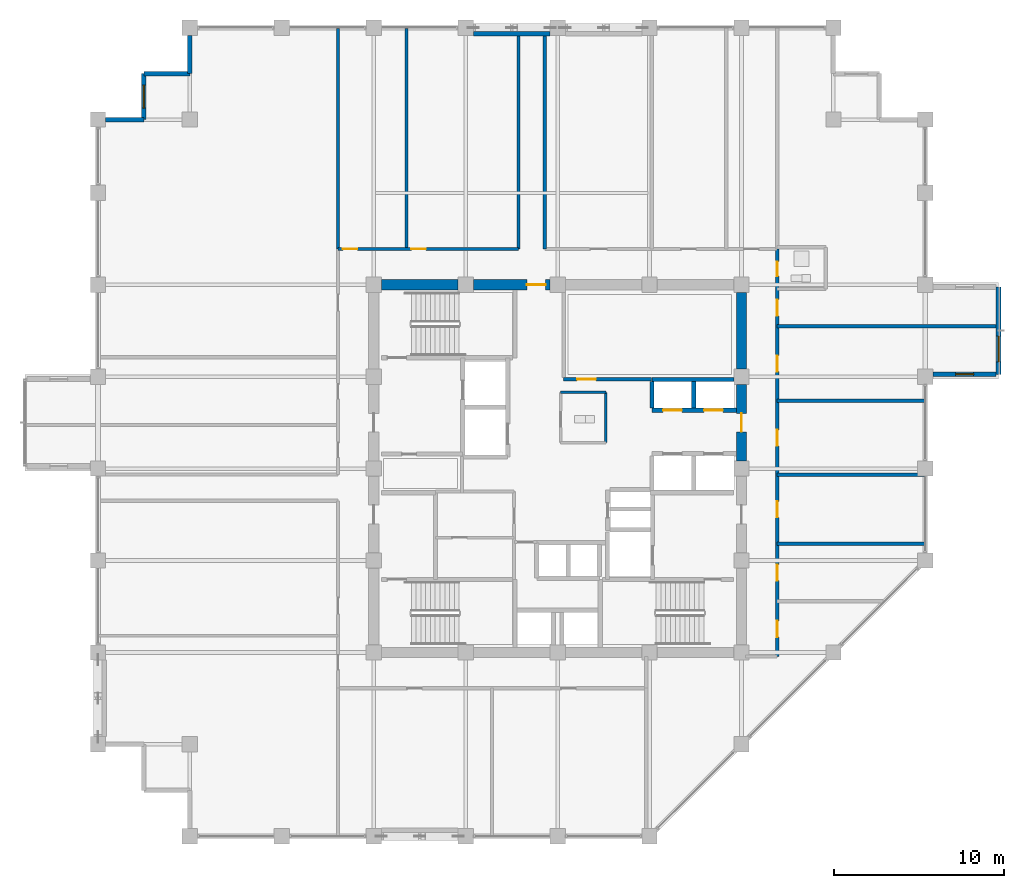
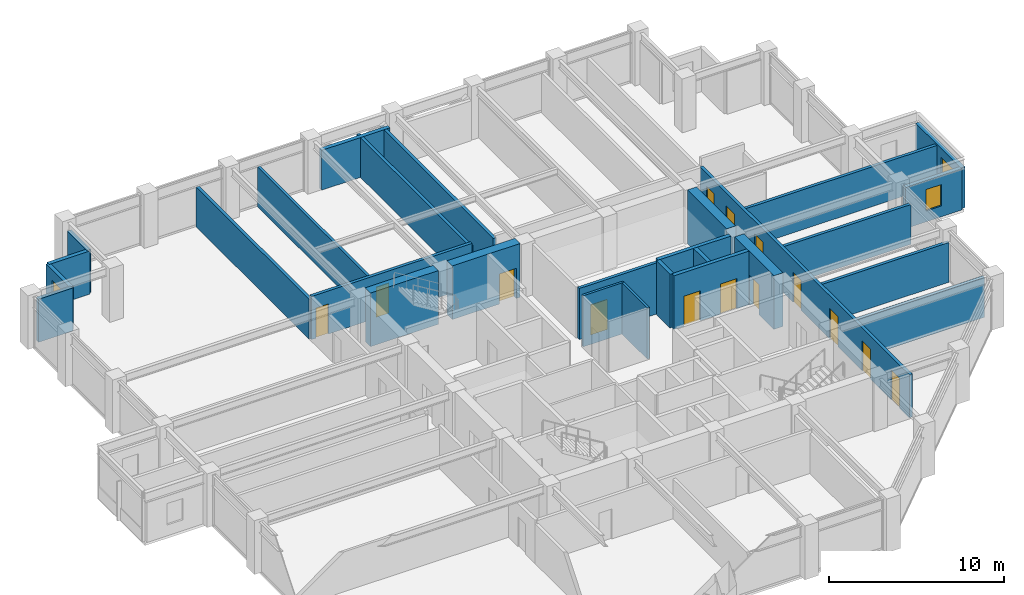
# One storey, part 24 of 28: 28 walls, 14 doors, 3 windows, 17 openings.
"""IFC4 building model written with IfcOpenShell, lengths in metres."""

from ifc_helpers import new_model, si_unit, direction, frame, frame_2d, origin, place, context, subcontext, project, spatial, rectangle, extrude, material, layer, layer_set, type_object, element, fill, save


model = new_model("IFC4")

# Units and contexts
model_context = context("Model", 3, precision=1e-05, world=origin(), true_north=direction((0.0, 1.0)))
body_context = subcontext(model_context, "Body", "Model", "MODEL_VIEW")
ifc_project = project(units=[si_unit("LENGTHUNIT", "METRE"), si_unit("AREAUNIT", "SQUARE_METRE"), si_unit("VOLUMEUNIT", "CUBIC_METRE"), si_unit("PLANEANGLEUNIT", "RADIAN"), si_unit("MASSUNIT", "GRAM", prefix="KILO")], contexts=[model_context])

# Site, building, storey
site_placement = place(None, origin())
site = spatial("IfcSite", under=ifc_project, at=site_placement, CompositionType="ELEMENT")
building_placement = place(site_placement, origin())
building = spatial("IfcBuilding", under=site, at=building_placement, Name="Surkhivell Harbour Commons", CompositionType="ELEMENT")
storey_placement = place(building_placement, frame((0.0, 0.0, 174.75)))
storey = spatial("IfcBuildingStorey", under=building, at=storey_placement, Name="L45", CompositionType="ELEMENT", Elevation=174.75)

# Wall
ifc_material_1 = material(Name="Concrete C60/75", Category="concrete")
ifc_layer_1 = layer(ifc_material_1, 0.60009765625)
ifc_layer_set_1 = layer_set([ifc_layer_1], Name="Concrete C60/75")
wall_type_1 = type_object("IfcWallType", Name="WAL-CORE-600", PredefinedType="SHEAR", material=ifc_layer_set_1)
wall_1_placement = place(storey_placement, frame((-10.340087890625, 10.800048828125, 0.0), z_axis=(0.0, 0.0, 1.0), x_axis=(1.0, 0.0, 0.0)))
element("IfcWall", 1, at=wall_1_placement, inside=storey, type_object=wall_type_1, Name="L45 Core Shear Wall North 1", PredefinedType="SHEAR", context=body_context, shape_type="SweptSolid", body=[
    extrude(rectangle(XDim=4.47998046875, YDim=0.60009765625, at=frame_2d((2.239990234375, 0.0))), origin(), (0.0, 0.0, 1.0), 3.75),
])

# Wall, opening, door
wall_2_placement = place(storey_placement, frame((-4.93994140625, 10.800048828125, 0.0), z_axis=(0.0, 0.0, 1.0), x_axis=(1.0, 0.0, 0.0)))
wall_2 = element("IfcWall", 2, at=wall_2_placement, inside=storey, type_object=wall_type_1, Name="L45 Core Shear Wall North 2", PredefinedType="SHEAR", context=body_context, shape_type="SweptSolid", body=[
    extrude(rectangle(XDim=4.47998046875, YDim=0.60009765625, at=frame_2d((2.239990234375, 0.0))), origin(), (0.0, 0.0, 1.0), 3.75),
])
opening_1_placement = place(wall_2_placement, frame((3.1298828125, 0.0, 0.0)))
opening_1 = element("IfcOpeningElement", 3, at=opening_1_placement, cuts=wall_2, Name="Opening ID-2", PredefinedType="OPENING", context=body_context, shape_type="SweptSolid", body=[
    extrude(rectangle(XDim=1.10009765625, YDim=2.10009765625, at=frame_2d((0.550048828125, 1.050048828125))), frame((0.0, 0.31005859375, 0.0), z_axis=(0.0, -1.0, 0.0), x_axis=(1.0, 0.0, 0.0)), (0.0, 0.0, 1.0), 0.6201171875),
])
ifc_material_2 = material(Name="Hardwood-veneered fire-rated door leaf", Category="wood")
door_type_1 = type_object("IfcDoorType", Name="DOR-FD60-1100", OperationType="NOTDEFINED", PredefinedType="DOOR", material=ifc_material_2)
door_1_placement = place(opening_1_placement, origin())
door_1 = element("IfcDoor", 4, at=door_1_placement, inside=storey, type_object=door_type_1, Name="L45 Central Core Lift Hall North Corridor Door", OperationType="SINGLE_SWING_LEFT", OverallHeight=2.10009765625, OverallWidth=1.10009765625, PredefinedType="DOOR", context=body_context, shape_type="SweptSolid", body=[
    extrude(rectangle(XDim=1.10009765625, YDim=2.10009765625, at=frame_2d((0.550048828125, 1.050048828125))), frame((0.0, 0.02490234375, 0.0), z_axis=(0.0, -1.0, 0.0), x_axis=(1.0, 0.0, 0.0)), (0.0, 0.0, 1.0), 0.050048828125),
])
fill(opening_1, door_1)

wall_3_placement = place(storey_placement, frame((10.800048828125, 0.4599609375, 0.0), z_axis=(0.0, 0.0, 1.0), x_axis=(0.0, 1.0, 0.0)))
wall_3 = element("IfcWall", 5, at=wall_3_placement, inside=storey, type_object=wall_type_1, Name="L45 Core Shear Wall East 3", PredefinedType="SHEAR", context=body_context, shape_type="SweptSolid", body=[
    extrude(rectangle(XDim=4.47998046875, YDim=0.60009765625, at=frame_2d((2.239990234375, 0.0))), origin(), (0.0, 0.0, 1.0), 3.75),
])
opening_2_placement = place(wall_3_placement, frame((1.68994140625, 0.0, 0.0)))
opening_2 = element("IfcOpeningElement", 6, at=opening_2_placement, cuts=wall_3, Name="Opening ID-2", PredefinedType="OPENING", context=body_context, shape_type="SweptSolid", body=[
    extrude(rectangle(XDim=1.10009765625, YDim=2.10009765625, at=frame_2d((0.550048828125, 1.050048828125))), frame((0.0, 0.31005859375, 0.0), z_axis=(0.0, -1.0, 0.0), x_axis=(1.0, 0.0, 0.0)), (0.0, 0.0, 1.0), 0.6201171875),
])
door_2_placement = place(opening_2_placement, origin())
door_2 = element("IfcDoor", 7, at=door_2_placement, inside=storey, type_object=door_type_1, Name="L45 Mid-Rise Lobby East Door", OperationType="SINGLE_SWING_LEFT", OverallHeight=2.10009765625, OverallWidth=1.10009765625, PredefinedType="DOOR", context=body_context, shape_type="SweptSolid", body=[
    extrude(rectangle(XDim=1.10009765625, YDim=2.10009765625, at=frame_2d((0.550048828125, 1.050048828125))), frame((0.0, 0.02490234375, 0.0), z_axis=(0.0, -1.0, 0.0), x_axis=(1.0, 0.0, 0.0)), (0.0, 0.0, 1.0), 0.050048828125),
])
fill(opening_2, door_2)

# Walls
wall_4_placement = place(storey_placement, frame((10.800048828125, 5.860107421875, 0.0), z_axis=(0.0, 0.0, 1.0), x_axis=(0.0, 1.0, 0.0)))
element("IfcWall", 8, at=wall_4_placement, inside=storey, type_object=wall_type_1, Name="L45 Core Shear Wall East 4", PredefinedType="SHEAR", context=body_context, shape_type="SweptSolid", body=[
    extrude(rectangle(XDim=4.47998046875, YDim=0.60009765625, at=frame_2d((2.239990234375, 0.0))), origin(), (0.0, 0.0, 1.0), 3.75),
])
ifc_material_3 = material(Name="Pale-metal insulated precast concrete C45/55", Category="concrete")
ifc_layer_2 = layer(ifc_material_3, 0.260009765625)
ifc_layer_set_2 = layer_set([ifc_layer_2], Name="Pale-metal insulated precast concrete C45/55")
wall_type_2 = type_object("IfcWallType", Name="WAL-EXT-MTL260", PredefinedType="STANDARD", material=ifc_layer_set_2)
wall_5_placement = place(storey_placement, frame((-0.447998046875, 25.5400390625, 0.0), z_axis=(0.0, 0.0, 1.0), x_axis=(-1.0, 0.0, 0.0)))
element("IfcWall", 9, at=wall_5_placement, inside=storey, type_object=wall_type_2, Name="L45 Braced-Bay Insulated Spandrel Backing N", PredefinedType="STANDARD", context=body_context, shape_type="SweptSolid", body=[
    extrude(rectangle(XDim=4.50390625, YDim=0.260009765625, at=frame_2d((2.251953125, 0.0))), origin(), (0.0, 0.0, 1.0), 2.780029296875),
])
wall_6_placement = place(storey_placement, frame((-21.60009765625, 25.451904296875, 0.0), z_axis=(0.0, 0.0, 1.0), x_axis=(0.0, -1.0, 0.0)))
element("IfcWall", 10, at=wall_6_placement, inside=storey, type_object=wall_type_2, Name="L45 Serrated Corner Facade Wall 08", PredefinedType="STANDARD", context=body_context, shape_type="SweptSolid", body=[
    extrude(rectangle(XDim=2.251953125, YDim=0.260009765625, at=frame_2d((1.1259765625, 0.0))), origin(), (0.0, 0.0, 1.0), 3.006103515625),
])
wall_7_placement = place(storey_placement, frame((-21.60009765625, 23.199951171875, 0.0), z_axis=(0.0, 0.0, 1.0), x_axis=(-1.0, 0.0, 0.0)))
element("IfcWall", 11, at=wall_7_placement, inside=storey, type_object=wall_type_2, Name="L45 Serrated Corner Facade Wall 09", PredefinedType="STANDARD", context=body_context, shape_type="SweptSolid", body=[
    extrude(rectangle(XDim=2.699951171875, YDim=0.260009765625, at=frame_2d((1.35009765625, 0.0))), origin(), (0.0, 0.0, 1.0), 3.006103515625),
])

# Wall, opening, window
wall_8_placement = place(storey_placement, frame((-24.300048828125, 23.199951171875, 0.0), z_axis=(0.0, 0.0, 1.0), x_axis=(0.0, -1.0, 0.0)))
wall_8 = element("IfcWall", 12, at=wall_8_placement, inside=storey, type_object=wall_type_2, Name="L45 Serrated Corner Facade Wall 10", PredefinedType="STANDARD", context=body_context, shape_type="SweptSolid", body=[
    extrude(rectangle(XDim=2.699951171875, YDim=0.260009765625, at=frame_2d((1.35009765625, 0.0))), origin(), (0.0, 0.0, 1.0), 3.006103515625),
])
opening_3_placement = place(wall_8_placement, frame((0.675048828125, 0.0, 0.64990234375)))
opening_3 = element("IfcOpeningElement", 13, at=opening_3_placement, cuts=wall_8, Name="Opening WN-08", PredefinedType="OPENING", context=body_context, shape_type="SweptSolid", body=[
    extrude(rectangle(XDim=1.35009765625, YDim=1.64990234375, at=frame_2d((0.675048828125, 0.824951171875))), frame((0.0, 0.139892578125, 0.0), z_axis=(0.0, -1.0, 0.0), x_axis=(1.0, 0.0, 0.0)), (0.0, 0.0, 1.0), 0.280029296875),
])
ifc_material_4 = material(Name="Thermal-break aluminium frame and double low-E glazing", Category="aluminium")
window_type_1 = type_object("IfcWindowType", Name="WIN-SER-1350x1650", PartitioningType="SINGLE_PANEL", PredefinedType="WINDOW", material=ifc_material_4)
window_1_placement = place(opening_3_placement, origin())
window_1 = element("IfcWindow", 14, at=window_1_placement, inside=storey, type_object=window_type_1, Name="L45 Serrated Alcove Window 10", OverallHeight=1.64990234375, OverallWidth=1.35009765625, PartitioningType="SINGLE_PANEL", PredefinedType="WINDOW", context=body_context, shape_type="SweptSolid", body=[
    extrude(rectangle(XDim=1.35009765625, YDim=1.64990234375, at=frame_2d((0.675048828125, 0.824951171875))), frame((0.0, 0.030029296875, 0.0), z_axis=(0.0, -1.0, 0.0), x_axis=(1.0, 0.0, 0.0)), (0.0, 0.0, 1.0), 0.06005859375),
])
fill(opening_3, window_1)

# Wall
wall_9_placement = place(storey_placement, frame((-24.300048828125, 20.5, 0.0), z_axis=(0.0, 0.0, 1.0), x_axis=(-1.0, 0.0, 0.0)))
element("IfcWall", 15, at=wall_9_placement, inside=storey, type_object=wall_type_2, Name="L45 Serrated Corner Facade Wall 11", PredefinedType="STANDARD", context=body_context, shape_type="SweptSolid", body=[
    extrude(rectangle(XDim=2.251953125, YDim=0.260009765625, at=frame_2d((1.1259765625, 0.0))), origin(), (0.0, 0.0, 1.0), 3.006103515625),
])

# Wall, opening, window
ifc_material_5 = material(Name="Terracotta-clad reinforced concrete C45/55", Category="masonry")
ifc_layer_3 = layer(ifc_material_5, 0.280029296875)
ifc_layer_set_3 = layer_set([ifc_layer_3], Name="Terracotta-clad reinforced concrete C45/55")
wall_type_3 = type_object("IfcWallType", Name="WAL-EXT-TER280", PredefinedType="STANDARD", material=ifc_layer_set_3)
wall_10_placement = place(storey_placement, frame((25.89990234375, 5.52001953125, 0.0), z_axis=(0.0, 0.0, 1.0), x_axis=(0.0, 1.0, 0.0)))
wall_10 = element("IfcWall", 16, at=wall_10_placement, inside=storey, type_object=wall_type_3, Name="L45 Coloured Box Front Wall 01", PredefinedType="STANDARD", context=body_context, shape_type="SweptSolid", body=[
    extrude(rectangle(XDim=5.159912109375, YDim=0.280029296875, at=frame_2d((2.580078125, 0.0))), origin(), (0.0, 0.0, 1.0), 2.85693359375),
])
opening_4_placement = place(wall_10_placement, frame((0.7548828125, 0.0, 0.75)))
opening_4 = element("IfcOpeningElement", 17, at=opening_4_placement, cuts=wall_10, Name="Opening WN-13", PredefinedType="OPENING", context=body_context, shape_type="SweptSolid", body=[
    extrude(rectangle(XDim=1.5, YDim=1.5, at=frame_2d((0.75, 0.75))), frame((0.0, 0.14990234375, 0.0), z_axis=(0.0, -1.0, 0.0), x_axis=(1.0, 0.0, 0.0)), (0.0, 0.0, 1.0), 0.300048828125),
])
window_type_2 = type_object("IfcWindowType", Name="WIN-BOX-1500x1500", PartitioningType="SINGLE_PANEL", PredefinedType="WINDOW", material=ifc_material_4)
window_2_placement = place(opening_4_placement, origin())
window_2 = element("IfcWindow", 18, at=window_2_placement, inside=storey, type_object=window_type_2, Name="L45 Coloured Box Square Window 01-1", OverallHeight=1.5, OverallWidth=1.5, PartitioningType="SINGLE_PANEL", PredefinedType="WINDOW", context=body_context, shape_type="SweptSolid", body=[
    extrude(rectangle(XDim=1.5, YDim=1.5, at=frame_2d((0.75, 0.75))), frame((0.0, 0.030029296875, 0.0), z_axis=(0.0, -1.0, 0.0), x_axis=(1.0, 0.0, 0.0)), (0.0, 0.0, 1.0), 0.06005859375),
])
fill(opening_4, window_2)

wall_11_placement = place(storey_placement, frame((22.053955078125, 5.5400390625, 0.0), z_axis=(0.0, 0.0, 1.0), x_axis=(1.0, 0.0, 0.0)))
wall_11 = element("IfcWall", 19, at=wall_11_placement, inside=storey, type_object=wall_type_3, Name="L45 Coloured Box Return Wall 01S", PredefinedType="STANDARD", context=body_context, shape_type="SweptSolid", body=[
    extrude(rectangle(XDim=3.7060546875, YDim=0.280029296875, at=frame_2d((1.85302734375, 0.0))), origin(), (0.0, 0.0, 1.0), 2.85693359375),
])
opening_5_placement = place(wall_11_placement, frame((1.327880859375, 0.0, 0.75)))
opening_5 = element("IfcOpeningElement", 20, at=opening_5_placement, cuts=wall_11, Name="Opening WN-11", PredefinedType="OPENING", context=body_context, shape_type="SweptSolid", body=[
    extrude(rectangle(XDim=1.050048828125, YDim=1.5, at=frame_2d((0.52490234375, 0.75))), frame((0.0, 0.14990234375, 0.0), z_axis=(0.0, -1.0, 0.0), x_axis=(1.0, 0.0, 0.0)), (0.0, 0.0, 1.0), 0.300048828125),
])
window_type_3 = type_object("IfcWindowType", Name="WIN-SER-1050x1500", PartitioningType="SINGLE_PANEL", PredefinedType="WINDOW", material=ifc_material_4)
window_3_placement = place(opening_5_placement, origin())
window_3 = element("IfcWindow", 21, at=window_3_placement, inside=storey, type_object=window_type_3, Name="L45 Coloured Box Return Window 01S", OverallHeight=1.5, OverallWidth=1.050048828125, PartitioningType="SINGLE_PANEL", PredefinedType="WINDOW", context=body_context, shape_type="SweptSolid", body=[
    extrude(rectangle(XDim=1.050048828125, YDim=1.5, at=frame_2d((0.52490234375, 0.75))), frame((0.0, 0.030029296875, 0.0), z_axis=(0.0, -1.0, 0.0), x_axis=(1.0, 0.0, 0.0)), (0.0, 0.0, 1.0), 0.06005859375),
])
fill(opening_5, window_3)

# Walls
ifc_material_6 = material(Name="Twin-stud acoustic fireboard partition", Category="other")
ifc_layer_4 = layer(ifc_material_6, 0.14990234375)
ifc_layer_set_4 = layer_set([ifc_layer_4], Name="Twin-stud acoustic fireboard partition")
wall_type_4 = type_object("IfcWallType", Name="WAL-INT-150", PredefinedType="PARTITIONING", material=ifc_layer_set_4)
wall_12_placement = place(storey_placement, frame((2.820068359375, 1.52001953125, 0.0), z_axis=(0.0, 0.0, 1.0), x_axis=(0.0, 1.0, 0.0)))
element("IfcWall", 22, at=wall_12_placement, inside=storey, type_object=wall_type_4, Name="L45 Core Accessible WC East Wall", PredefinedType="PARTITIONING", context=body_context, shape_type="SweptSolid", body=[
    extrude(rectangle(XDim=2.9599609375, YDim=0.14990234375, at=frame_2d((1.47998046875, 0.0))), origin(), (0.0, 0.0, 1.0), 3.570068359375),
])
wall_13_placement = place(storey_placement, frame((0.179931640625, 4.47998046875, 0.0), z_axis=(0.0, 0.0, 1.0), x_axis=(1.0, 0.0, 0.0)))
element("IfcWall", 23, at=wall_13_placement, inside=storey, type_object=wall_type_4, Name="L45 Core Accessible WC North Wall", PredefinedType="PARTITIONING", context=body_context, shape_type="SweptSolid", body=[
    extrude(rectangle(XDim=2.670166015625, YDim=0.14990234375, at=frame_2d((1.3349609375, 0.0))), origin(), (0.0, 0.0, 1.0), 3.570068359375),
])
ifc_material_7 = material(Name="High-density acoustic blockwork fire partition", Category="masonry")
ifc_layer_5 = layer(ifc_material_7, 0.175048828125)
ifc_layer_set_5 = layer_set([ifc_layer_5], Name="High-density acoustic blockwork fire partition")
wall_type_5 = type_object("IfcWallType", Name="WAL-INT-175", PredefinedType="PARTITIONING", material=ifc_layer_set_5)
wall_14_placement = place(storey_placement, frame((-8.8701171875, 12.89990234375, 0.0), z_axis=(0.0, 0.0, 1.0), x_axis=(0.0, 1.0, 0.0)))
element("IfcWall", 24, at=wall_14_placement, inside=storey, type_object=wall_type_5, Name="L45 North-West Partition P1", PredefinedType="PARTITIONING", context=body_context, shape_type="SweptSolid", body=[
    extrude(rectangle(XDim=12.940185546875, YDim=0.175048828125, at=frame_2d((6.47021484375, 0.0))), origin(), (0.0, 0.0, 1.0), 2.780029296875),
])

# Wall, opening, door
ifc_material_8 = material(Name="Autoclaved aerated concrete blockwork and fire plaster", Category="masonry")
ifc_layer_6 = layer(ifc_material_8, 0.199951171875)
ifc_layer_set_6 = layer_set([ifc_layer_6], Name="Autoclaved aerated concrete blockwork and fire plaster")
wall_type_6 = type_object("IfcWallType", Name="WAL-INT-200", PredefinedType="PARTITIONING", material=ifc_layer_set_6)
wall_15_placement = place(storey_placement, frame((0.35009765625, 5.239990234375, 0.0), z_axis=(0.0, 0.0, 1.0), x_axis=(1.0, 0.0, 0.0)))
wall_15 = element("IfcWall", 25, at=wall_15_placement, inside=storey, type_object=wall_type_6, Name="L45 Reclaimed Core North Bay South Wall", PredefinedType="PARTITIONING", context=body_context, shape_type="SweptSolid", body=[
    extrude(rectangle(XDim=5.14990234375, YDim=0.199951171875, at=frame_2d((2.574951171875, 0.0))), origin(), (0.0, 0.0, 1.0), 3.570068359375),
])
opening_6_placement = place(wall_15_placement, frame((0.800048828125, 0.0, 0.0)))
opening_6 = element("IfcOpeningElement", 26, at=opening_6_placement, cuts=wall_15, Name="Opening ID-2", PredefinedType="OPENING", context=body_context, shape_type="SweptSolid", body=[
    extrude(rectangle(XDim=1.10009765625, YDim=2.10009765625, at=frame_2d((0.550048828125, 1.050048828125))), frame((0.0, 0.10986328125, 0.0), z_axis=(0.0, -1.0, 0.0), x_axis=(1.0, 0.0, 0.0)), (0.0, 0.0, 1.0), 0.219970703125),
])
door_3_placement = place(opening_6_placement, origin())
door_3 = element("IfcDoor", 27, at=door_3_placement, inside=storey, type_object=door_type_1, Name="L45 Reading Library Door", OperationType="SINGLE_SWING_LEFT", OverallHeight=2.10009765625, OverallWidth=1.10009765625, PredefinedType="DOOR", context=body_context, shape_type="SweptSolid", body=[
    extrude(rectangle(XDim=1.10009765625, YDim=2.10009765625, at=frame_2d((0.550048828125, 1.050048828125))), frame((0.0, 0.02490234375, 0.0), z_axis=(0.0, -1.0, 0.0), x_axis=(1.0, 0.0, 0.0)), (0.0, 0.0, 1.0), 0.050048828125),
])
fill(opening_6, door_3)

# Wall
wall_16_placement = place(storey_placement, frame((-12.89990234375, 12.89990234375, 0.0), z_axis=(0.0, 0.0, 1.0), x_axis=(0.0, 1.0, 0.0)))
element("IfcWall", 28, at=wall_16_placement, inside=storey, type_object=wall_type_6, Name="L45 North-West Corner Wall", PredefinedType="PARTITIONING", context=body_context, shape_type="SweptSolid", body=[
    extrude(rectangle(XDim=12.940185546875, YDim=0.199951171875, at=frame_2d((6.47021484375, 0.0))), origin(), (0.0, 0.0, 1.0), 2.780029296875),
])

# Wall, openings, doors
wall_17_placement = place(storey_placement, frame((12.89990234375, -11.0400390625, 0.0), z_axis=(0.0, 0.0, 1.0), x_axis=(0.0, 1.0, 0.0)))
wall_17 = element("IfcWall", 29, at=wall_17_placement, inside=storey, type_object=wall_type_6, Name="L45 Corridor East Wall", PredefinedType="PARTITIONING", context=body_context, shape_type="SweptSolid", body=[
    extrude(rectangle(XDim=23.93994140625, YDim=0.199951171875, at=frame_2d((11.969970703125, 0.0))), origin(), (0.0, 0.0, 1.0), 3.006103515625),
])
opening_7_placement = place(wall_17_placement, frame((1.139892578125, 0.0, 0.0)))
opening_7 = element("IfcOpeningElement", 30, at=opening_7_placement, cuts=wall_17, Name="Opening ID-4", PredefinedType="OPENING", context=body_context, shape_type="SweptSolid", body=[
    extrude(rectangle(XDim=0.949951171875, YDim=2.10009765625, at=frame_2d((0.47509765625, 1.050048828125))), frame((0.0, 0.10986328125, 0.0), z_axis=(0.0, -1.0, 0.0), x_axis=(1.0, 0.0, 0.0)), (0.0, 0.0, 1.0), 0.219970703125),
])
opening_8_placement = place(wall_17_placement, frame((22.344970703125, 0.0, 0.0)))
opening_8 = element("IfcOpeningElement", 31, at=opening_8_placement, cuts=wall_17, Name="Opening ID-6", PredefinedType="OPENING", context=body_context, shape_type="SweptSolid", body=[
    extrude(rectangle(XDim=0.85009765625, YDim=2.10009765625, at=frame_2d((0.425048828125, 1.050048828125))), frame((0.0, 0.10986328125, 0.0), z_axis=(0.0, -1.0, 0.0), x_axis=(1.0, 0.0, 0.0)), (0.0, 0.0, 1.0), 0.219970703125),
])
opening_9_placement = place(wall_17_placement, frame((20.010009765625, 0.0, 0.0)))
opening_9 = element("IfcOpeningElement", 32, at=opening_9_placement, cuts=wall_17, Name="Opening ID-4", PredefinedType="OPENING", context=body_context, shape_type="SweptSolid", body=[
    extrude(rectangle(XDim=0.949951171875, YDim=2.10009765625, at=frame_2d((0.47509765625, 1.050048828125))), frame((0.0, 0.10986328125, 0.0), z_axis=(0.0, -1.0, 0.0), x_axis=(1.0, 0.0, 0.0)), (0.0, 0.0, 1.0), 0.219970703125),
])
opening_10_placement = place(wall_17_placement, frame((4.455078125, 0.0, 0.0)))
opening_10 = element("IfcOpeningElement", 33, at=opening_10_placement, cuts=wall_17, Name="Opening ID-4", PredefinedType="OPENING", context=body_context, shape_type="SweptSolid", body=[
    extrude(rectangle(XDim=0.949951171875, YDim=2.10009765625, at=frame_2d((0.47509765625, 1.050048828125))), frame((0.0, 0.10986328125, 0.0), z_axis=(0.0, -1.0, 0.0), x_axis=(1.0, 0.0, 0.0)), (0.0, 0.0, 1.0), 0.219970703125),
])
opening_11_placement = place(wall_17_placement, frame((8.169921875, 0.0, 0.0)))
opening_11 = element("IfcOpeningElement", 34, at=opening_11_placement, cuts=wall_17, Name="Opening ID-4", PredefinedType="OPENING", context=body_context, shape_type="SweptSolid", body=[
    extrude(rectangle(XDim=0.949951171875, YDim=2.10009765625, at=frame_2d((0.47509765625, 1.050048828125))), frame((0.0, 0.10986328125, 0.0), z_axis=(0.0, -1.0, 0.0), x_axis=(1.0, 0.0, 0.0)), (0.0, 0.0, 1.0), 0.219970703125),
])
opening_12_placement = place(wall_17_placement, frame((12.3701171875, 0.0, 0.0)))
opening_12 = element("IfcOpeningElement", 35, at=opening_12_placement, cuts=wall_17, Name="Opening ID-4", PredefinedType="OPENING", context=body_context, shape_type="SweptSolid", body=[
    extrude(rectangle(XDim=0.949951171875, YDim=2.10009765625, at=frame_2d((0.47509765625, 1.050048828125))), frame((0.0, 0.10986328125, 0.0), z_axis=(0.0, -1.0, 0.0), x_axis=(1.0, 0.0, 0.0)), (0.0, 0.0, 1.0), 0.219970703125),
])
opening_13_placement = place(wall_17_placement, frame((16.72998046875, 0.0, 0.0)))
opening_13 = element("IfcOpeningElement", 36, at=opening_13_placement, cuts=wall_17, Name="Opening ID-4", PredefinedType="OPENING", context=body_context, shape_type="SweptSolid", body=[
    extrude(rectangle(XDim=0.949951171875, YDim=2.10009765625, at=frame_2d((0.47509765625, 1.050048828125))), frame((0.0, 0.10986328125, 0.0), z_axis=(0.0, -1.0, 0.0), x_axis=(1.0, 0.0, 0.0)), (0.0, 0.0, 1.0), 0.219970703125),
])
door_type_2 = type_object("IfcDoorType", Name="DOR-FD30-850", OperationType="NOTDEFINED", PredefinedType="DOOR", material=ifc_material_2)
door_4_placement = place(opening_8_placement, origin())
door_4 = element("IfcDoor", 37, at=door_4_placement, inside=storey, type_object=door_type_2, Name="L45 Communal Shower Bathroom East Door", OperationType="SINGLE_SWING_LEFT", OverallHeight=2.10009765625, OverallWidth=0.85009765625, PredefinedType="DOOR", context=body_context, shape_type="SweptSolid", body=[
    extrude(rectangle(XDim=0.85009765625, YDim=2.10009765625, at=frame_2d((0.425048828125, 1.050048828125))), frame((0.0, 0.02490234375, 0.0), z_axis=(0.0, -1.0, 0.0), x_axis=(1.0, 0.0, 0.0)), (0.0, 0.0, 1.0), 0.050048828125),
])
fill(opening_8, door_4)
door_type_3 = type_object("IfcDoorType", Name="DOR-FD60-950", OperationType="NOTDEFINED", PredefinedType="DOOR", material=ifc_material_2)
door_5_placement = place(opening_7_placement, origin())
door_5 = element("IfcDoor", 38, at=door_5_placement, inside=storey, type_object=door_type_3, Name="L45 Shared Communal Kitchen East Door", OperationType="SINGLE_SWING_RIGHT", OverallHeight=2.10009765625, OverallWidth=0.949951171875, PredefinedType="DOOR", context=body_context, shape_type="SweptSolid", body=[
    extrude(rectangle(XDim=0.949951171875, YDim=2.10009765625, at=frame_2d((0.47509765625, 1.050048828125))), frame((0.0, 0.02490234375, 0.0), z_axis=(0.0, -1.0, 0.0), x_axis=(1.0, 0.0, 0.0)), (0.0, 0.0, 1.0), 0.050048828125),
])
fill(opening_7, door_5)
door_6_placement = place(opening_9_placement, origin())
door_6 = element("IfcDoor", 39, at=door_6_placement, inside=storey, type_object=door_type_3, Name="L45 Academic Reading Commons East Door", OperationType="SINGLE_SWING_RIGHT", OverallHeight=2.10009765625, OverallWidth=0.949951171875, PredefinedType="DOOR", context=body_context, shape_type="SweptSolid", body=[
    extrude(rectangle(XDim=0.949951171875, YDim=2.10009765625, at=frame_2d((0.47509765625, 1.050048828125))), frame((0.0, 0.02490234375, 0.0), z_axis=(0.0, -1.0, 0.0), x_axis=(1.0, 0.0, 0.0)), (0.0, 0.0, 1.0), 0.050048828125),
])
fill(opening_9, door_6)
door_7_placement = place(opening_10_placement, origin())
door_7 = element("IfcDoor", 40, at=door_7_placement, inside=storey, type_object=door_type_3, Name="L45 Hostel Cluster Bedroom 1 East Door", OperationType="SINGLE_SWING_LEFT", OverallHeight=2.10009765625, OverallWidth=0.949951171875, PredefinedType="DOOR", context=body_context, shape_type="SweptSolid", body=[
    extrude(rectangle(XDim=0.949951171875, YDim=2.10009765625, at=frame_2d((0.47509765625, 1.050048828125))), frame((0.0, 0.02490234375, 0.0), z_axis=(0.0, -1.0, 0.0), x_axis=(1.0, 0.0, 0.0)), (0.0, 0.0, 1.0), 0.050048828125),
])
fill(opening_10, door_7)
door_8_placement = place(opening_11_placement, origin())
door_8 = element("IfcDoor", 41, at=door_8_placement, inside=storey, type_object=door_type_3, Name="L45 Co-Living Dormitory Bedroom 2 East Door", OperationType="SINGLE_SWING_RIGHT", OverallHeight=2.10009765625, OverallWidth=0.949951171875, PredefinedType="DOOR", context=body_context, shape_type="SweptSolid", body=[
    extrude(rectangle(XDim=0.949951171875, YDim=2.10009765625, at=frame_2d((0.47509765625, 1.050048828125))), frame((0.0, 0.02490234375, 0.0), z_axis=(0.0, -1.0, 0.0), x_axis=(1.0, 0.0, 0.0)), (0.0, 0.0, 1.0), 0.050048828125),
])
fill(opening_11, door_8)
door_9_placement = place(opening_12_placement, origin())
door_9 = element("IfcDoor", 42, at=door_9_placement, inside=storey, type_object=door_type_3, Name="L45 Hostel Cluster Bedroom 3 East Door", OperationType="SINGLE_SWING_LEFT", OverallHeight=2.10009765625, OverallWidth=0.949951171875, PredefinedType="DOOR", context=body_context, shape_type="SweptSolid", body=[
    extrude(rectangle(XDim=0.949951171875, YDim=2.10009765625, at=frame_2d((0.47509765625, 1.050048828125))), frame((0.0, 0.02490234375, 0.0), z_axis=(0.0, -1.0, 0.0), x_axis=(1.0, 0.0, 0.0)), (0.0, 0.0, 1.0), 0.050048828125),
])
fill(opening_12, door_9)
door_10_placement = place(opening_13_placement, origin())
door_10 = element("IfcDoor", 43, at=door_10_placement, inside=storey, type_object=door_type_3, Name="L45 Co-Living Dormitory Bedroom 4 East Door", OperationType="SINGLE_SWING_RIGHT", OverallHeight=2.10009765625, OverallWidth=0.949951171875, PredefinedType="DOOR", context=body_context, shape_type="SweptSolid", body=[
    extrude(rectangle(XDim=0.949951171875, YDim=2.10009765625, at=frame_2d((0.47509765625, 1.050048828125))), frame((0.0, 0.02490234375, 0.0), z_axis=(0.0, -1.0, 0.0), x_axis=(1.0, 0.0, 0.0)), (0.0, 0.0, 1.0), 0.050048828125),
])
fill(opening_13, door_10)

wall_18_placement = place(storey_placement, frame((-12.89990234375, 12.89990234375, 0.0), z_axis=(0.0, 0.0, 1.0), x_axis=(1.0, 0.0, 0.0)))
wall_18 = element("IfcWall", 44, at=wall_18_placement, inside=storey, type_object=wall_type_6, Name="L45 Corridor North-West Wall", PredefinedType="PARTITIONING", context=body_context, shape_type="SweptSolid", body=[
    extrude(rectangle(XDim=10.599853515625, YDim=0.199951171875, at=frame_2d((5.2998046875, 0.0))), origin(), (0.0, 0.0, 1.0), 3.006103515625),
])
opening_14_placement = place(wall_18_placement, frame((0.280029296875, 0.0, 0.0)))
opening_14 = element("IfcOpeningElement", 45, at=opening_14_placement, cuts=wall_18, Name="Opening ID-6", PredefinedType="OPENING", context=body_context, shape_type="SweptSolid", body=[
    extrude(rectangle(XDim=0.85009765625, YDim=2.10009765625, at=frame_2d((0.425048828125, 1.050048828125))), frame((0.0, 0.10986328125, 0.0), z_axis=(0.0, -1.0, 0.0), x_axis=(1.0, 0.0, 0.0)), (0.0, 0.0, 1.0), 0.219970703125),
])
opening_15_placement = place(wall_18_placement, frame((4.31005859375, 0.0, 0.0)))
opening_15 = element("IfcOpeningElement", 46, at=opening_15_placement, cuts=wall_18, Name="Opening ID-6", PredefinedType="OPENING", context=body_context, shape_type="SweptSolid", body=[
    extrude(rectangle(XDim=0.85009765625, YDim=2.10009765625, at=frame_2d((0.425048828125, 1.050048828125))), frame((0.0, 0.10986328125, 0.0), z_axis=(0.0, -1.0, 0.0), x_axis=(1.0, 0.0, 0.0)), (0.0, 0.0, 1.0), 0.219970703125),
])
door_11_placement = place(opening_14_placement, origin())
door_11 = element("IfcDoor", 47, at=door_11_placement, inside=storey, type_object=door_type_2, Name="L45 Harbour Reading Library North-West Door", OperationType="SINGLE_SWING_LEFT", OverallHeight=2.10009765625, OverallWidth=0.85009765625, PredefinedType="DOOR", context=body_context, shape_type="SweptSolid", body=[
    extrude(rectangle(XDim=0.85009765625, YDim=2.10009765625, at=frame_2d((0.425048828125, 1.050048828125))), frame((0.0, 0.02490234375, 0.0), z_axis=(0.0, -1.0, 0.0), x_axis=(1.0, 0.0, 0.0)), (0.0, 0.0, 1.0), 0.050048828125),
])
fill(opening_14, door_11)
door_12_placement = place(opening_15_placement, origin())
door_12 = element("IfcDoor", 48, at=door_12_placement, inside=storey, type_object=door_type_2, Name="L45 Communal Dining Hall North-West Door", OperationType="SINGLE_SWING_RIGHT", OverallHeight=2.10009765625, OverallWidth=0.85009765625, PredefinedType="DOOR", context=body_context, shape_type="SweptSolid", body=[
    extrude(rectangle(XDim=0.85009765625, YDim=2.10009765625, at=frame_2d((0.425048828125, 1.050048828125))), frame((0.0, 0.02490234375, 0.0), z_axis=(0.0, -1.0, 0.0), x_axis=(1.0, 0.0, 0.0)), (0.0, 0.0, 1.0), 0.050048828125),
])
fill(opening_15, door_12)

# Walls
for number, where, z_axis, x_axis, name in (
    (49, (-0.75, 12.89990234375, 0.0), (0.0, 0.0, 1.0), (0.0, 1.0, 0.0), "L45 North Spur East Wall"),
    (50, (-2.300048828125, 12.89990234375, 0.0), (0.0, 0.0, 1.0), (0.0, 1.0, 0.0), "L45 North Spur West Wall"),
):
    element("IfcWall", number, at=place(storey_placement, frame(where, z_axis=z_axis, x_axis=x_axis)), inside=storey, type_object=wall_type_6, Name=name, PredefinedType="PARTITIONING", context=body_context, shape_type="SweptSolid", body=[
        extrude(rectangle(XDim=12.940185546875, YDim=0.199951171875, at=frame_2d((6.47021484375, 0.0))), origin(), (0.0, 0.0, 1.0), 2.780029296875),
    ])
for number, where, z_axis, x_axis, name in (
    (51, (12.89990234375, -4.409912109375, 0.0), (0.0, 0.0, 1.0), (1.0, 0.0, 0.0), "L45 East Partition BDP1"),
    (52, (12.89990234375, -0.3701171875, 0.0), (0.0, 0.0, 1.0), (1.0, 0.0, 0.0), "L45 East Partition BDP2"),
    (53, (12.89990234375, 3.989990234375, 0.0), (0.0, 0.0, 1.0), (1.0, 0.0, 0.0), "L45 East Partition BDP3"),
):
    element("IfcWall", number, at=place(storey_placement, frame(where, z_axis=z_axis, x_axis=x_axis)), inside=storey, type_object=wall_type_6, Name=name, PredefinedType="PARTITIONING", context=body_context, shape_type="SweptSolid", body=[
        extrude(rectangle(XDim=8.64013671875, YDim=0.199951171875, at=frame_2d((4.320068359375, 0.0))), origin(), (0.0, 0.0, 1.0), 2.780029296875),
    ])
wall_19_placement = place(storey_placement, frame((12.89990234375, 8.35009765625, 0.0), z_axis=(0.0, 0.0, 1.0), x_axis=(1.0, 0.0, 0.0)))
element("IfcWall", 54, at=wall_19_placement, inside=storey, type_object=wall_type_6, Name="L45 East Partition PTOP", PredefinedType="PARTITIONING", context=body_context, shape_type="SweptSolid", body=[
    extrude(rectangle(XDim=12.940185546875, YDim=0.199951171875, at=frame_2d((6.47021484375, 0.0))), origin(), (0.0, 0.0, 1.0), 2.780029296875),
])
ifc_material_9 = material(Name="Concrete C50/60", Category="concrete")
ifc_layer_7 = layer(ifc_material_9, 0.25)
ifc_layer_set_7 = layer_set([ifc_layer_7], Name="Concrete C50/60")
wall_type_7 = type_object("IfcWallType", Name="WAL-SHAFT-250", PredefinedType="SHEAR", material=ifc_layer_set_7)
for number, where, z_axis, x_axis, name in (
    (55, (5.550048828125, 3.550048828125, 0.0), (0.0, 0.0, 1.0), (0.0, 1.0, 0.0), "L45 Mid-Rise Shaft Side Wall N"),
    (56, (8.0, 3.550048828125, 0.0), (0.0, 0.0, 1.0), (0.0, 1.0, 0.0), "L45 Mid-Rise Shaft Side Wall N"),
):
    element("IfcWall", number, at=place(storey_placement, frame(where, z_axis=z_axis, x_axis=x_axis)), inside=storey, type_object=wall_type_7, Name=name, PredefinedType="SHEAR", context=body_context, shape_type="SweptSolid", body=[
        extrude(rectangle(XDim=1.570068359375, YDim=0.25, at=frame_2d((0.78515625, 0.0))), origin(), (0.0, 0.0, 1.0), 3.75),
    ])

# Wall, openings, doors
wall_20_placement = place(storey_placement, frame((5.550048828125, 3.429931640625, 0.0), z_axis=(0.0, 0.0, 1.0), x_axis=(1.0, 0.0, 0.0)))
wall_20 = element("IfcWall", 57, at=wall_20_placement, inside=storey, type_object=wall_type_7, Name="L45 Mid-Rise North Front Shaft Wall", PredefinedType="SHEAR", context=body_context, shape_type="SweptSolid", body=[
    extrude(rectangle(XDim=4.949951171875, YDim=0.25, at=frame_2d((2.47509765625, 0.0))), origin(), (0.0, 0.0, 1.0), 3.75),
])
opening_16_placement = place(wall_20_placement, frame((0.64990234375, 0.0, 0.0)))
opening_16 = element("IfcOpeningElement", 58, at=opening_16_placement, cuts=wall_20, Name="Opening LD-1", PredefinedType="OPENING", context=body_context, shape_type="SweptSolid", body=[
    extrude(rectangle(XDim=1.10009765625, YDim=2.10009765625, at=frame_2d((0.550048828125, 1.050048828125))), frame((0.0, 0.135009765625, 0.0), z_axis=(0.0, -1.0, 0.0), x_axis=(1.0, 0.0, 0.0)), (0.0, 0.0, 1.0), 0.27001953125),
])
opening_17_placement = place(wall_20_placement, frame((3.050048828125, 0.0, 0.0)))
opening_17 = element("IfcOpeningElement", 59, at=opening_17_placement, cuts=wall_20, Name="Opening LD-1", PredefinedType="OPENING", context=body_context, shape_type="SweptSolid", body=[
    extrude(rectangle(XDim=1.10009765625, YDim=2.10009765625, at=frame_2d((0.550048828125, 1.050048828125))), frame((0.0, 0.135009765625, 0.0), z_axis=(0.0, -1.0, 0.0), x_axis=(1.0, 0.0, 0.0)), (0.0, 0.0, 1.0), 0.27001953125),
])
ifc_material_10 = material(Name="Brushed stainless steel S355", Category="steel")
door_type_4 = type_object("IfcDoorType", Name="DOR-LD-1100", OperationType="SLIDING_TO_LEFT", PredefinedType="DOOR", material=ifc_material_10)
door_13_placement = place(opening_16_placement, origin())
door_13 = element("IfcDoor", 60, at=door_13_placement, inside=storey, type_object=door_type_4, Name="L45 Lift Landing Door LD-PM1", OperationType="SLIDING_TO_RIGHT", OverallHeight=2.10009765625, OverallWidth=1.10009765625, PredefinedType="DOOR", context=body_context, shape_type="SweptSolid", body=[
    extrude(rectangle(XDim=1.10009765625, YDim=2.10009765625, at=frame_2d((0.550048828125, 1.050048828125))), frame((0.0, 0.02490234375, 0.0), z_axis=(0.0, -1.0, 0.0), x_axis=(1.0, 0.0, 0.0)), (0.0, 0.0, 1.0), 0.050048828125),
])
fill(opening_16, door_13)
door_14_placement = place(opening_17_placement, origin())
door_14 = element("IfcDoor", 61, at=door_14_placement, inside=storey, type_object=door_type_4, Name="L45 Lift Landing Door LD-PM2", OperationType="SLIDING_TO_RIGHT", OverallHeight=2.10009765625, OverallWidth=1.10009765625, PredefinedType="DOOR", context=body_context, shape_type="SweptSolid", body=[
    extrude(rectangle(XDim=1.10009765625, YDim=2.10009765625, at=frame_2d((0.550048828125, 1.050048828125))), frame((0.0, 0.02490234375, 0.0), z_axis=(0.0, -1.0, 0.0), x_axis=(1.0, 0.0, 0.0)), (0.0, 0.0, 1.0), 0.050048828125),
])
fill(opening_17, door_14)

# Wall
wall_21_placement = place(storey_placement, frame((5.550048828125, 5.239990234375, 0.0), z_axis=(0.0, 0.0, 1.0), x_axis=(1.0, 0.0, 0.0)))
element("IfcWall", 62, at=wall_21_placement, inside=storey, type_object=wall_type_7, Name="L45 Mid-Rise North Back Shaft Wall", PredefinedType="SHEAR", context=body_context, shape_type="SweptSolid", body=[
    extrude(rectangle(XDim=4.800048828125, YDim=0.25, at=frame_2d((2.39990234375, 0.0))), origin(), (0.0, 0.0, 1.0), 3.75),
])

save(model, "model.ifc")
